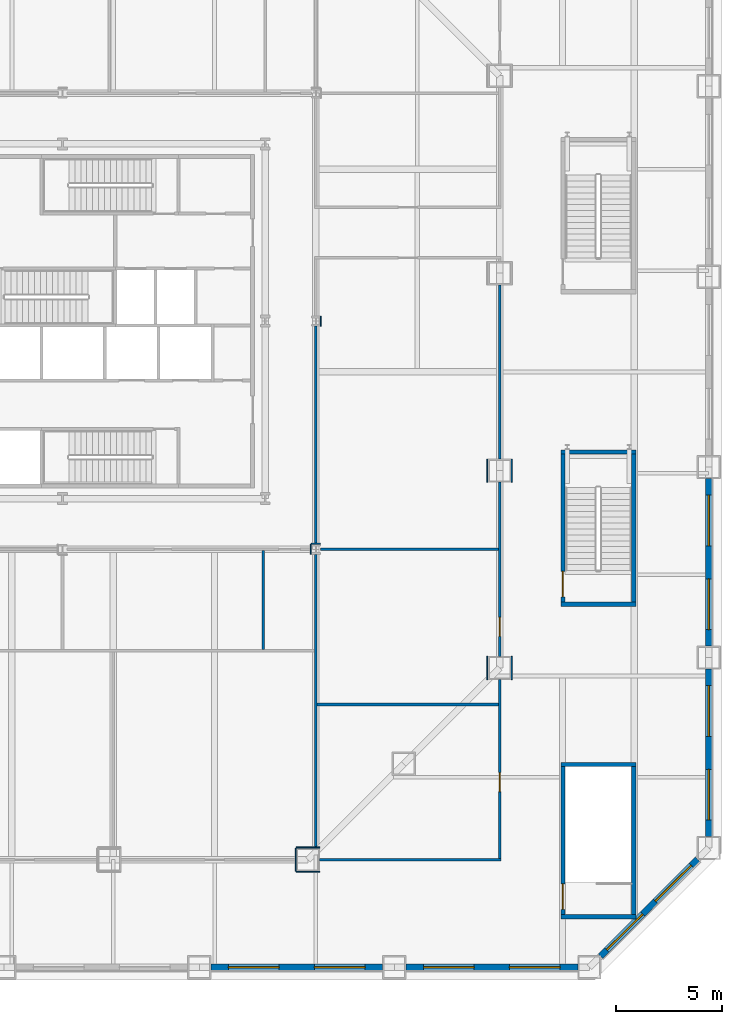
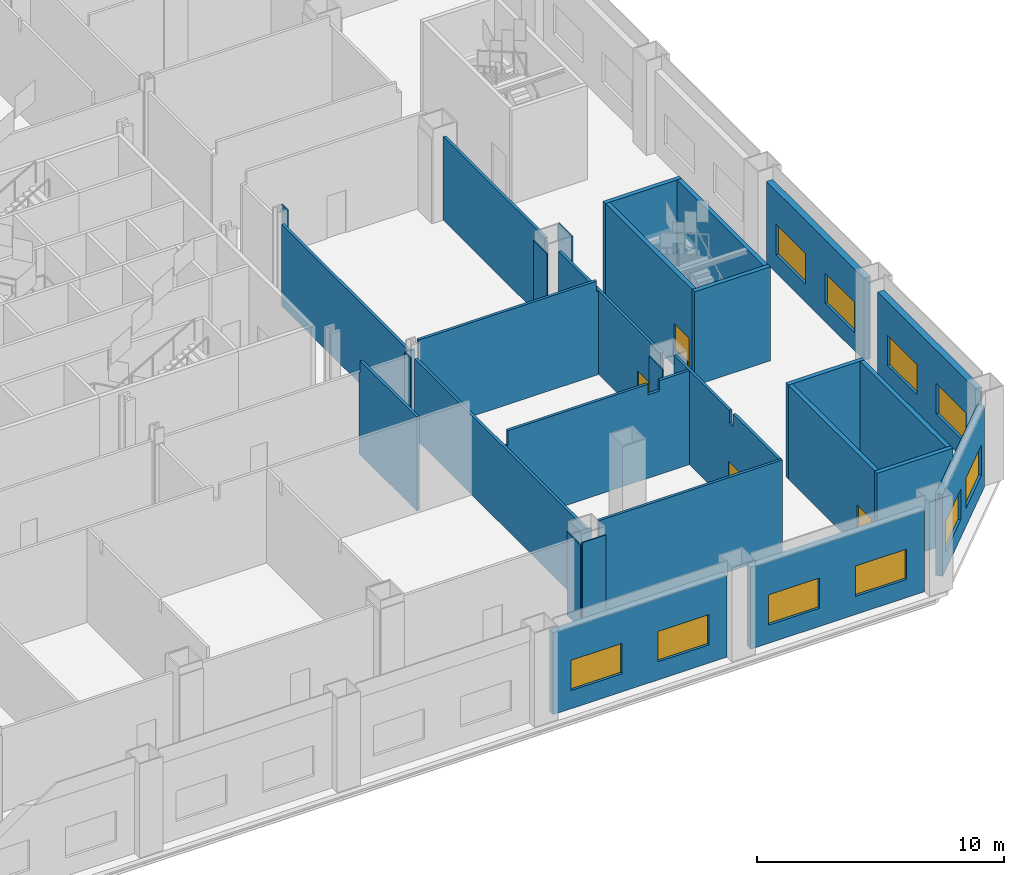
# One storey, part 14 of 22: 32 walls, 10 windows, 4 doors, 14 openings.
"""IFC4 building model written with IfcOpenShell, lengths in metres."""

from ifc_helpers import new_model, si_unit, direction, frame, frame_2d, origin, place, context, subcontext, project, spatial, polyline, rectangle, outline, extrude, material, layer, layer_set, type_object, element, fill, save


model = new_model("IFC4")

# Units and contexts
model_context = context("Model", 3, precision=1e-05, world=origin(), true_north=direction((0.0, 1.0)))
body_context = subcontext(model_context, "Body", "Model", "MODEL_VIEW")
ifc_project = project(units=[si_unit("LENGTHUNIT", "METRE"), si_unit("AREAUNIT", "SQUARE_METRE"), si_unit("VOLUMEUNIT", "CUBIC_METRE"), si_unit("PLANEANGLEUNIT", "RADIAN"), si_unit("MASSUNIT", "GRAM", prefix="KILO")], contexts=[model_context])

# Site, building, storey
site_placement = place(None, origin())
site = spatial("IfcSite", under=ifc_project, at=site_placement, CompositionType="ELEMENT")
building_placement = place(site_placement, origin())
building = spatial("IfcBuilding", under=site, at=building_placement, Name="Cairn Pilgrim Tower", CompositionType="ELEMENT")
storey_placement = place(building_placement, frame((0.0, 0.0, 35.39990234375)))
storey = spatial("IfcBuildingStorey", under=building, at=storey_placement, Name="L06", CompositionType="ELEMENT", Elevation=35.39990234375)

# Wall
ifc_material_1 = material(Name="Gypsum partition")
ifc_layer_1 = layer(ifc_material_1, 0.125)
ifc_layer_set_1 = layer_set([ifc_layer_1], Name="PARTITION 125 DRYWALL EI 60")
wall_type_1 = type_object("IfcWallType", Name="PARTITION 125 DRYWALL EI 60", PredefinedType="PARTITIONING", material=ifc_layer_set_1)
wall_1_placement = place(storey_placement, frame((19.377197265625, -23.10009765625, 0.0), z_axis=(0.0, 0.0, 1.0), x_axis=(1.0, 0.0, 0.0)))
element("IfcWall", 1, at=wall_1_placement, inside=storey, type_object=wall_type_1, Name="PARTITION W013", PredefinedType="PARTITIONING", context=body_context, shape_type="SweptSolid", body=[
    extrude(rectangle(XDim=8.585205078125, YDim=0.125, at=frame_2d((4.29248046875, 0.0))), origin(), (0.0, 0.0, 1.0), 4.650146484375),
])

# Wall, opening, door
wall_2_placement = place(storey_placement, frame((27.89990234375, -23.03759765625, 0.0), z_axis=(0.0, 0.0, 1.0), x_axis=(0.0, 1.0, 0.0)))
wall_2 = element("IfcWall", 2, at=wall_2_placement, inside=storey, type_object=wall_type_1, Name="PARTITION W018", PredefinedType="PARTITIONING", context=body_context, shape_type="SweptSolid", body=[
    extrude(outline(polyline([(0.0, 0.0), (8.46044921875, 0.0), (8.460205078125, 4.650146484375), (3.987548828125, 4.650146484375), (3.985595703125, 4.030029296875), (3.6875, 4.030029296875), (3.685546875, 4.650146484375), (0.0, 4.650146484375), (0.0, 0.0)])), frame((0.0, 0.0625, 0.0), z_axis=(0.0, -1.0, 0.0), x_axis=(1.0, 0.0, 0.0)), (0.0, 0.0, 1.0), 0.125),
])
opening_1_placement = place(wall_2_placement, frame((3.16259765625, 0.0, 0.0)))
opening_1 = element("IfcOpeningElement", 3, at=opening_1_placement, cuts=wall_2, Name="Opening 0621", PredefinedType="OPENING", context=body_context, shape_type="SweptSolid", body=[
    extrude(rectangle(XDim=0.89990234375, YDim=2.10009765625, at=frame_2d((0.449951171875, 1.050048828125))), frame((0.0, 0.072509765625, 0.0), z_axis=(0.0, -1.0, 0.0), x_axis=(1.0, 0.0, 0.0)), (0.0, 0.0, 1.0), 0.14501953125),
])
ifc_material_2 = material(Name="Timber door leaf", Category="wood")
door_type_1 = type_object("IfcDoorType", Name="ROOM DOOR 900x2100 FD30S", OperationType="NOTDEFINED", PredefinedType="DOOR", material=ifc_material_2)
door_1_placement = place(opening_1_placement, frame((0.89990234375, 0.0, 0.0), z_axis=(0.0, 0.0, 1.0), x_axis=(-1.0, 0.0, 0.0)))
door_1 = element("IfcDoor", 4, at=door_1_placement, inside=storey, type_object=door_type_1, Name="DOOR 0621", OperationType="SINGLE_SWING_LEFT", OverallHeight=2.10009765625, OverallWidth=0.89990234375, PredefinedType="DOOR", context=body_context, shape_type="SweptSolid", body=[
    extrude(rectangle(XDim=0.89990234375, YDim=2.10009765625, at=frame_2d((0.449951171875, 1.050048828125))), frame((0.0, 0.02490234375, 0.0), z_axis=(0.0, -1.0, 0.0), x_axis=(1.0, 0.0, 0.0)), (0.0, 0.0, 1.0), 0.050048828125),
])
fill(opening_1, door_1)

# Walls
wall_3_placement = place(storey_placement, frame((19.199951171875, -22.550048828125, 0.0), z_axis=(0.0, 0.0, 1.0), x_axis=(0.0, 1.0, 0.0)))
element("IfcWall", 5, at=wall_3_placement, inside=storey, type_object=wall_type_1, Name="PARTITION W021", PredefinedType="PARTITIONING", context=body_context, shape_type="SweptSolid", body=[
    extrude(rectangle(XDim=13.9130859375, YDim=0.125, at=frame_2d((6.95654296875, 0.0))), origin(), (0.0, 0.0, 1.0), 3.93017578125),
])
wall_4_placement = place(storey_placement, frame((19.262451171875, -15.75, 0.0), z_axis=(0.0, 0.0, 1.0), x_axis=(1.0, 0.0, 0.0)))
element("IfcWall", 6, at=wall_4_placement, inside=storey, type_object=wall_type_1, Name="PARTITION W023", PredefinedType="PARTITIONING", context=body_context, shape_type="SweptSolid", body=[
    extrude(outline(polyline([(0.0, 0.0), (8.574951171875, 0.0), (8.574951171875, 4.650146484375), (7.189208984375, 4.650146484375), (7.187255859375, 4.130126953125), (6.64013671875, 4.130126953125), (6.63818359375, 4.650146484375), (0.08740234375, 4.650146484375), (0.08544921875, 3.93017578125), (0.0, 3.93017578125), (0.0, 0.0)])), frame((0.0, 0.0625, 0.0), z_axis=(0.0, -1.0, 0.0), x_axis=(1.0, 0.0, 0.0)), (0.0, 0.0, 1.0), 0.125),
])

# Wall, opening, door
wall_5_placement = place(storey_placement, frame((27.89990234375, -13.477294921875, 0.0), z_axis=(0.0, 0.0, 1.0), x_axis=(0.0, 1.0, 0.0)))
wall_5 = element("IfcWall", 7, at=wall_5_placement, inside=storey, type_object=wall_type_1, Name="PARTITION W024", PredefinedType="PARTITIONING", context=body_context, shape_type="SweptSolid", body=[
    extrude(rectangle(XDim=8.251708984375, YDim=0.125, at=frame_2d((4.1259765625, 0.0))), origin(), (0.0, 0.0, 1.0), 4.130126953125),
])
opening_2_placement = place(wall_5_placement, frame((0.9521484375, 0.0, 0.0)))
opening_2 = element("IfcOpeningElement", 8, at=opening_2_placement, cuts=wall_5, Name="Opening 0622", PredefinedType="OPENING", context=body_context, shape_type="SweptSolid", body=[
    extrude(rectangle(XDim=0.89990234375, YDim=2.10009765625, at=frame_2d((0.449951171875, 1.050048828125))), frame((0.0, 0.072509765625, 0.0), z_axis=(0.0, -1.0, 0.0), x_axis=(1.0, 0.0, 0.0)), (0.0, 0.0, 1.0), 0.14501953125),
])
door_2_placement = place(opening_2_placement, frame((0.89990234375, 0.0, 0.0), z_axis=(0.0, 0.0, 1.0), x_axis=(-1.0, 0.0, 0.0)))
door_2 = element("IfcDoor", 9, at=door_2_placement, inside=storey, type_object=door_type_1, Name="DOOR 0622", OperationType="SINGLE_SWING_LEFT", OverallHeight=2.10009765625, OverallWidth=0.89990234375, PredefinedType="DOOR", context=body_context, shape_type="SweptSolid", body=[
    extrude(rectangle(XDim=0.89990234375, YDim=2.10009765625, at=frame_2d((0.449951171875, 1.050048828125))), frame((0.0, 0.02490234375, 0.0), z_axis=(0.0, -1.0, 0.0), x_axis=(1.0, 0.0, 0.0)), (0.0, 0.0, 1.0), 0.050048828125),
])
fill(opening_2, door_2)

# Walls
wall_6_placement = place(storey_placement, frame((16.699951171875, -13.137451171875, 0.0), z_axis=(0.0, 0.0, 1.0), x_axis=(0.0, 1.0, 0.0)))
element("IfcWall", 10, at=wall_6_placement, inside=storey, type_object=wall_type_1, Name="PARTITION W027", PredefinedType="PARTITIONING", context=body_context, shape_type="SweptSolid", body=[
    extrude(outline(polyline([(0.0, 0.0), (4.675048828125, 0.0), (4.675048828125, 4.030029296875), (4.58740234375, 4.030029296875), (4.58544921875, 4.650146484375), (0.0, 4.650146484375), (0.0, 0.0)])), frame((0.0, 0.0625, 0.0), z_axis=(0.0, -1.0, 0.0), x_axis=(1.0, 0.0, 0.0)), (0.0, 0.0, 1.0), 0.125),
])
wall_7_placement = place(storey_placement, frame((19.412109375, -8.39990234375, 0.0), z_axis=(0.0, 0.0, 1.0), x_axis=(1.0, 0.0, 0.0)))
element("IfcWall", 11, at=wall_7_placement, inside=storey, type_object=wall_type_1, Name="PARTITION W033", PredefinedType="PARTITIONING", context=body_context, shape_type="SweptSolid", body=[
    extrude(outline(polyline([(0.0, 0.0), (8.42529296875, 0.0), (8.425537109375, 4.130126953125), (8.337890625, 4.130126953125), (8.3359375, 4.650146484375), (0.0, 4.650146484375), (0.0, 0.0)])), frame((0.0, 0.0625, 0.0), z_axis=(0.0, -1.0, 0.0), x_axis=(1.0, 0.0, 0.0)), (0.0, 0.0, 1.0), 0.125),
])
wall_8_placement = place(storey_placement, frame((19.199951171875, -8.1630859375, 0.0), z_axis=(0.0, 0.0, 1.0), x_axis=(0.0, 1.0, 0.0)))
element("IfcWall", 12, at=wall_8_placement, inside=storey, type_object=wall_type_1, Name="PARTITION W035", PredefinedType="PARTITIONING", context=body_context, shape_type="SweptSolid", body=[
    extrude(rectangle(XDim=10.326171875, YDim=0.125, at=frame_2d((5.1630859375, 0.0))), origin(), (0.0, 0.0, 1.0), 4.030029296875),
])
wall_9_placement = place(storey_placement, frame((27.89990234375, -4.125732421875, 0.0), z_axis=(0.0, 0.0, 1.0), x_axis=(0.0, 1.0, 0.0)))
element("IfcWall", 13, at=wall_9_placement, inside=storey, type_object=wall_type_1, Name="PARTITION W036", PredefinedType="PARTITIONING", context=body_context, shape_type="SweptSolid", body=[
    extrude(rectangle(XDim=8.25146484375, YDim=0.125, at=frame_2d((4.125732421875, 0.0))), origin(), (0.0, 0.0, 1.0), 4.130126953125),
])
ifc_layer_2 = layer(ifc_material_1, 0.050048828125)
ifc_layer_set_2 = layer_set([ifc_layer_2], Name="PARTITION 50 DRYWALL EI 60")
wall_type_2 = type_object("IfcWallType", Name="PARTITION 50 DRYWALL EI 60", PredefinedType="PARTITIONING", material=ifc_layer_set_2)
wall_10_placement = place(storey_placement, frame((18.277099609375, -22.52490234375, 0.0), z_axis=(0.0, 0.0, 1.0), x_axis=(1.0, 0.0, 0.0)))
element("IfcWall", 14, at=wall_10_placement, inside=storey, type_object=wall_type_2, Name="COLUMN CASING WC09", PredefinedType="PARTITIONING", context=body_context, shape_type="SweptSolid", body=[
    extrude(rectangle(XDim=1.10009765625, YDim=0.050048828125, at=frame_2d((0.550048828125, 0.0))), origin(), (0.0, 0.0, 1.0), 3.93017578125),
])
wall_11_placement = place(storey_placement, frame((18.277099609375, -23.675048828125, 0.0), z_axis=(0.0, 0.0, 1.0), x_axis=(1.0, 0.0, 0.0)))
element("IfcWall", 15, at=wall_11_placement, inside=storey, type_object=wall_type_2, Name="COLUMN CASING WC10", PredefinedType="PARTITIONING", context=body_context, shape_type="SweptSolid", body=[
    extrude(rectangle(XDim=1.10009765625, YDim=0.050048828125, at=frame_2d((0.550048828125, 0.0))), origin(), (0.0, 0.0, 1.0), 4.27001953125),
])
wall_12_placement = place(storey_placement, frame((18.252197265625, -23.64990234375, 0.0), z_axis=(0.0, 0.0, 1.0), x_axis=(0.0, 1.0, 0.0)))
element("IfcWall", 16, at=wall_12_placement, inside=storey, type_object=wall_type_2, Name="COLUMN CASING WC14", PredefinedType="PARTITIONING", context=body_context, shape_type="SweptSolid", body=[
    extrude(rectangle(XDim=1.099853515625, YDim=0.050048828125, at=frame_2d((0.5498046875, 0.0))), origin(), (0.0, 0.0, 1.0), 4.130126953125),
])
wall_13_placement = place(storey_placement, frame((18.962890625, -8.636962890625, 0.0), z_axis=(0.0, 0.0, 1.0), x_axis=(0.0, 1.0, 0.0)))
element("IfcWall", 17, at=wall_13_placement, inside=storey, type_object=wall_type_2, Name="COLUMN CASING WC15", PredefinedType="PARTITIONING", context=body_context, shape_type="SweptSolid", body=[
    extrude(rectangle(XDim=0.473876953125, YDim=0.050048828125, at=frame_2d((0.23681640625, 0.0))), origin(), (0.0, 0.0, 1.0), 4.030029296875),
])
for number, where, z_axis, x_axis, name in (
    (18, (27.324951171875, -14.5771484375, 0.0), (0.0, 0.0, 1.0), (0.0, 1.0, 0.0), "COLUMN CASING WC16"),
    (19, (28.47509765625, -14.5771484375, 0.0), (0.0, 0.0, 1.0), (0.0, 1.0, 0.0), "COLUMN CASING WC17"),
):
    element("IfcWall", number, at=place(storey_placement, frame(where, z_axis=z_axis, x_axis=x_axis)), inside=storey, type_object=wall_type_2, Name=name, PredefinedType="PARTITIONING", context=body_context, shape_type="SweptSolid", body=[
        extrude(rectangle(XDim=1.099853515625, YDim=0.050048828125, at=frame_2d((0.5498046875, 0.0))), origin(), (0.0, 0.0, 1.0), 4.130126953125),
    ])
wall_14_placement = place(storey_placement, frame((27.324951171875, -5.2255859375, 0.0), z_axis=(0.0, 0.0, 1.0), x_axis=(0.0, 1.0, 0.0)))
element("IfcWall", 20, at=wall_14_placement, inside=storey, type_object=wall_type_2, Name="COLUMN CASING WC18", PredefinedType="PARTITIONING", context=body_context, shape_type="SweptSolid", body=[
    extrude(rectangle(XDim=1.099853515625, YDim=0.050048828125, at=frame_2d((0.5498046875, 0.0))), origin(), (0.0, 0.0, 1.0), 4.18017578125),
])
wall_15_placement = place(storey_placement, frame((28.47509765625, -5.2255859375, 0.0), z_axis=(0.0, 0.0, 1.0), x_axis=(0.0, 1.0, 0.0)))
element("IfcWall", 21, at=wall_15_placement, inside=storey, type_object=wall_type_2, Name="COLUMN CASING WC19", PredefinedType="PARTITIONING", context=body_context, shape_type="SweptSolid", body=[
    extrude(rectangle(XDim=1.099853515625, YDim=0.050048828125, at=frame_2d((0.5498046875, 0.0))), origin(), (0.0, 0.0, 1.0), 4.650146484375),
])
wall_16_placement = place(storey_placement, frame((18.988037109375, -8.137939453125, 0.0), z_axis=(0.0, 0.0, 1.0), x_axis=(1.0, 0.0, 0.0)))
element("IfcWall", 22, at=wall_16_placement, inside=storey, type_object=wall_type_2, Name="COLUMN CASING WC26", PredefinedType="PARTITIONING", context=body_context, shape_type="SweptSolid", body=[
    extrude(rectangle(XDim=0.424072265625, YDim=0.050048828125, at=frame_2d((0.2119140625, 0.0))), origin(), (0.0, 0.0, 1.0), 4.030029296875),
])
wall_17_placement = place(storey_placement, frame((19.43701171875, 2.1630859375, 0.0), z_axis=(0.0, 0.0, 1.0), x_axis=(0.0, 1.0, 0.0)))
element("IfcWall", 23, at=wall_17_placement, inside=storey, type_object=wall_type_2, Name="COLUMN CASING WC27", PredefinedType="PARTITIONING", context=body_context, shape_type="SweptSolid", body=[
    extrude(rectangle(XDim=0.473876953125, YDim=0.050048828125, at=frame_2d((0.23681640625, 0.0))), origin(), (0.0, 0.0, 1.0), 4.650146484375),
])
ifc_material_3 = material(Name="Concrete C35/45", Category="concrete")
ifc_layer_3 = layer(ifc_material_3, 0.199951171875)
ifc_layer_set_3 = layer_set([ifc_layer_3], Name="PODIUM STAIR WALL 200 EI 120")
wall_type_3 = type_object("IfcWallType", Name="PODIUM STAIR WALL 200 EI 120", PredefinedType="SOLIDWALL", material=ifc_layer_set_3)
wall_18_placement = place(storey_placement, frame((30.800048828125, -25.800048828125, 0.0), z_axis=(0.0, 0.0, 1.0), x_axis=(1.0, 0.0, 0.0)))
element("IfcWall", 24, at=wall_18_placement, inside=storey, type_object=wall_type_3, Name="STAIR SHAFT WALL W003", PredefinedType="SOLIDWALL", context=body_context, shape_type="SweptSolid", body=[
    extrude(rectangle(XDim=3.550048828125, YDim=0.199951171875, at=frame_2d((1.77490234375, 0.0))), origin(), (0.0, 0.0, 1.0), 4.650146484375),
])

# Wall, opening, door
wall_19_placement = place(storey_placement, frame((30.89990234375, -25.699951171875, 0.0), z_axis=(0.0, 0.0, 1.0), x_axis=(0.0, 1.0, 0.0)))
wall_19 = element("IfcWall", 25, at=wall_19_placement, inside=storey, type_object=wall_type_3, Name="STAIR SHAFT WALL W004", PredefinedType="SOLIDWALL", context=body_context, shape_type="SweptSolid", body=[
    extrude(rectangle(XDim=7.0, YDim=0.199951171875, at=frame_2d((3.5, 0.0))), origin(), (0.0, 0.0, 1.0), 4.650146484375),
])
opening_3_placement = place(wall_19_placement, frame((0.25, 0.0, 0.0)))
opening_3 = element("IfcOpeningElement", 26, at=opening_3_placement, cuts=wall_19, Name="Opening 0627", PredefinedType="OPENING", context=body_context, shape_type="SweptSolid", body=[
    extrude(rectangle(XDim=1.199951171875, YDim=2.10009765625, at=frame_2d((0.60009765625, 1.050048828125))), frame((0.0, 0.10986328125, 0.0), z_axis=(0.0, -1.0, 0.0), x_axis=(1.0, 0.0, 0.0)), (0.0, 0.0, 1.0), 0.219970703125),
])
ifc_material_4 = material(Name="Steel-faced fire door leaf", Category="steel")
door_type_2 = type_object("IfcDoorType", Name="FIRE DOOR 1200x2100 FD60S", OperationType="NOTDEFINED", PredefinedType="DOOR", material=ifc_material_4)
door_3_placement = place(opening_3_placement, frame((1.199951171875, 0.0, 0.0), z_axis=(0.0, 0.0, 1.0), x_axis=(-1.0, 0.0, 0.0)))
door_3 = element("IfcDoor", 27, at=door_3_placement, inside=storey, type_object=door_type_2, Name="DOOR 0627", OperationType="SINGLE_SWING_RIGHT", OverallHeight=2.10009765625, OverallWidth=1.199951171875, PredefinedType="DOOR", context=body_context, shape_type="SweptSolid", body=[
    extrude(rectangle(XDim=1.199951171875, YDim=2.10009765625, at=frame_2d((0.60009765625, 1.050048828125))), frame((0.0, 0.02490234375, 0.0), z_axis=(0.0, -1.0, 0.0), x_axis=(1.0, 0.0, 0.0)), (0.0, 0.0, 1.0), 0.050048828125),
])
fill(opening_3, door_3)

# Walls
wall_20_placement = place(storey_placement, frame((34.25, -25.699951171875, 0.0), z_axis=(0.0, 0.0, 1.0), x_axis=(0.0, 1.0, 0.0)))
element("IfcWall", 28, at=wall_20_placement, inside=storey, type_object=wall_type_3, Name="STAIR SHAFT WALL W005", PredefinedType="SOLIDWALL", context=body_context, shape_type="SweptSolid", body=[
    extrude(rectangle(XDim=7.0, YDim=0.199951171875, at=frame_2d((3.5, 0.0))), origin(), (0.0, 0.0, 1.0), 4.650146484375),
])
for number, where, z_axis, x_axis, name in (
    (29, (30.800048828125, -18.60009765625, 0.0), (0.0, 0.0, 1.0), (1.0, 0.0, 0.0), "STAIR SHAFT WALL W022"),
    (30, (30.800048828125, -11.0, 0.0), (0.0, 0.0, 1.0), (1.0, 0.0, 0.0), "STAIR SHAFT WALL W028"),
):
    element("IfcWall", number, at=place(storey_placement, frame(where, z_axis=z_axis, x_axis=x_axis)), inside=storey, type_object=wall_type_3, Name=name, PredefinedType="SOLIDWALL", context=body_context, shape_type="SweptSolid", body=[
        extrude(rectangle(XDim=3.550048828125, YDim=0.199951171875, at=frame_2d((1.77490234375, 0.0))), origin(), (0.0, 0.0, 1.0), 4.650146484375),
    ])

# Wall, opening, door
wall_21_placement = place(storey_placement, frame((30.89990234375, -10.89990234375, 0.0), z_axis=(0.0, 0.0, 1.0), x_axis=(0.0, 1.0, 0.0)))
wall_21 = element("IfcWall", 31, at=wall_21_placement, inside=storey, type_object=wall_type_3, Name="STAIR SHAFT WALL W029", PredefinedType="SOLIDWALL", context=body_context, shape_type="SweptSolid", body=[
    extrude(rectangle(XDim=7.0, YDim=0.199951171875, at=frame_2d((3.5, 0.0))), origin(), (0.0, 0.0, 1.0), 4.650146484375),
])
opening_4_placement = place(wall_21_placement, frame((0.25, 0.0, 0.0)))
opening_4 = element("IfcOpeningElement", 32, at=opening_4_placement, cuts=wall_21, Name="Opening 0628", PredefinedType="OPENING", context=body_context, shape_type="SweptSolid", body=[
    extrude(rectangle(XDim=1.199951171875, YDim=2.10009765625, at=frame_2d((0.60009765625, 1.050048828125))), frame((0.0, 0.10986328125, 0.0), z_axis=(0.0, -1.0, 0.0), x_axis=(1.0, 0.0, 0.0)), (0.0, 0.0, 1.0), 0.219970703125),
])
door_4_placement = place(opening_4_placement, frame((1.199951171875, 0.0, 0.0), z_axis=(0.0, 0.0, 1.0), x_axis=(-1.0, 0.0, 0.0)))
door_4 = element("IfcDoor", 33, at=door_4_placement, inside=storey, type_object=door_type_2, Name="DOOR 0628", OperationType="SINGLE_SWING_LEFT", OverallHeight=2.10009765625, OverallWidth=1.199951171875, PredefinedType="DOOR", context=body_context, shape_type="SweptSolid", body=[
    extrude(rectangle(XDim=1.199951171875, YDim=2.10009765625, at=frame_2d((0.60009765625, 1.050048828125))), frame((0.0, 0.02490234375, 0.0), z_axis=(0.0, -1.0, 0.0), x_axis=(1.0, 0.0, 0.0)), (0.0, 0.0, 1.0), 0.050048828125),
])
fill(opening_4, door_4)

# Walls
wall_22_placement = place(storey_placement, frame((34.25, -10.89990234375, 0.0), z_axis=(0.0, 0.0, 1.0), x_axis=(0.0, 1.0, 0.0)))
element("IfcWall", 34, at=wall_22_placement, inside=storey, type_object=wall_type_3, Name="STAIR SHAFT WALL W030", PredefinedType="SOLIDWALL", context=body_context, shape_type="SweptSolid", body=[
    extrude(rectangle(XDim=7.0, YDim=0.199951171875, at=frame_2d((3.5, 0.0))), origin(), (0.0, 0.0, 1.0), 4.650146484375),
])
wall_23_placement = place(storey_placement, frame((30.800048828125, -3.800048828125, 0.0), z_axis=(0.0, 0.0, 1.0), x_axis=(1.0, 0.0, 0.0)))
element("IfcWall", 35, at=wall_23_placement, inside=storey, type_object=wall_type_3, Name="STAIR SHAFT WALL W037", PredefinedType="SOLIDWALL", context=body_context, shape_type="SweptSolid", body=[
    extrude(rectangle(XDim=3.550048828125, YDim=0.199951171875, at=frame_2d((1.77490234375, 0.0))), origin(), (0.0, 0.0, 1.0), 4.650146484375),
])

# Wall, openings, windows
ifc_material_5 = material(Name="Concrete C35/45 backup wall with bronze aluminium cladding", Category="concrete")
ifc_layer_4 = layer(ifc_material_5, 0.300048828125)
ifc_layer_set_4 = layer_set([ifc_layer_4], Name="PODIUM WALL 300 BRONZE-CLAD")
wall_type_4 = type_object("IfcWallType", Name="PODIUM WALL 300 BRONZE-CLAD", PredefinedType="SOLIDWALL", material=ifc_layer_set_4)
wall_24_placement = place(storey_placement, frame((14.2255859375, -28.199951171875, 0.0), z_axis=(0.0, 0.0, 1.0), x_axis=(1.0, 0.0, 0.0)))
wall_24 = element("IfcWall", 36, at=wall_24_placement, inside=storey, type_object=wall_type_4, Name="PODIUM EXTERNAL WALL S7-S8", PredefinedType="SOLIDWALL", context=body_context, shape_type="SweptSolid", body=[
    extrude(rectangle(XDim=8.137939453125, YDim=0.300048828125, at=frame_2d((4.06884765625, 0.0))), origin(), (0.0, 0.0, 1.0), 4.050048828125),
])
opening_5_placement = place(wall_24_placement, frame((0.83447265625, 0.0, 0.89990234375)))
opening_5 = element("IfcOpeningElement", 37, at=opening_5_placement, cuts=wall_24, Name="Opening PW15", PredefinedType="OPENING", context=body_context, shape_type="SweptSolid", body=[
    extrude(rectangle(XDim=2.39990234375, YDim=1.5, at=frame_2d((1.199951171875, 0.75))), frame((0.0, 0.16015625, 0.0), z_axis=(0.0, -1.0, 0.0), x_axis=(1.0, 0.0, 0.0)), (0.0, 0.0, 1.0), 0.320068359375),
])
opening_6_placement = place(wall_24_placement, frame((4.9033203125, 0.0, 0.89990234375)))
opening_6 = element("IfcOpeningElement", 38, at=opening_6_placement, cuts=wall_24, Name="Opening PW15", PredefinedType="OPENING", context=body_context, shape_type="SweptSolid", body=[
    extrude(rectangle(XDim=2.39990234375, YDim=1.5, at=frame_2d((1.199951171875, 0.75))), frame((0.0, 0.16015625, 0.0), z_axis=(0.0, -1.0, 0.0), x_axis=(1.0, 0.0, 0.0)), (0.0, 0.0, 1.0), 0.320068359375),
])
ifc_material_6 = material(Name="Bronze anodised aluminium frame with tinted low-E glass", Category="aluminium")
window_type = type_object("IfcWindowType", Name="PODIUM FIXED WINDOW 2400x1500", PartitioningType="SINGLE_PANEL", PredefinedType="WINDOW", material=ifc_material_6)
window_1_placement = place(opening_5_placement, origin())
window_1 = element("IfcWindow", 39, at=window_1_placement, inside=storey, type_object=window_type, Name="PODIUM WINDOW", OverallHeight=1.5, OverallWidth=2.39990234375, PartitioningType="SINGLE_PANEL", PredefinedType="WINDOW", context=body_context, shape_type="SweptSolid", body=[
    extrude(rectangle(XDim=2.39990234375, YDim=1.5, at=frame_2d((1.199951171875, 0.75))), frame((0.0, 0.030029296875, 0.0), z_axis=(0.0, -1.0, 0.0), x_axis=(1.0, 0.0, 0.0)), (0.0, 0.0, 1.0), 0.06005859375),
])
fill(opening_5, window_1)
window_2_placement = place(opening_6_placement, origin())
window_2 = element("IfcWindow", 40, at=window_2_placement, inside=storey, type_object=window_type, Name="PODIUM WINDOW", OverallHeight=1.5, OverallWidth=2.39990234375, PartitioningType="SINGLE_PANEL", PredefinedType="WINDOW", context=body_context, shape_type="SweptSolid", body=[
    extrude(rectangle(XDim=2.39990234375, YDim=1.5, at=frame_2d((1.199951171875, 0.75))), frame((0.0, 0.030029296875, 0.0), z_axis=(0.0, -1.0, 0.0), x_axis=(1.0, 0.0, 0.0)), (0.0, 0.0, 1.0), 0.06005859375),
])
fill(opening_6, window_2)

wall_25_placement = place(storey_placement, frame((23.463623046875, -28.199951171875, 0.0), z_axis=(0.0, 0.0, 1.0), x_axis=(1.0, 0.0, 0.0)))
wall_25 = element("IfcWall", 41, at=wall_25_placement, inside=storey, type_object=wall_type_4, Name="PODIUM EXTERNAL WALL S8-SE1", PredefinedType="SOLIDWALL", context=body_context, shape_type="SweptSolid", body=[
    extrude(rectangle(XDim=8.137939453125, YDim=0.300048828125, at=frame_2d((4.06884765625, 0.0))), origin(), (0.0, 0.0, 1.0), 4.050048828125),
])
opening_7_placement = place(wall_25_placement, frame((0.83447265625, 0.0, 0.89990234375)))
opening_7 = element("IfcOpeningElement", 42, at=opening_7_placement, cuts=wall_25, Name="Opening PW15", PredefinedType="OPENING", context=body_context, shape_type="SweptSolid", body=[
    extrude(rectangle(XDim=2.39990234375, YDim=1.5, at=frame_2d((1.199951171875, 0.75))), frame((0.0, 0.16015625, 0.0), z_axis=(0.0, -1.0, 0.0), x_axis=(1.0, 0.0, 0.0)), (0.0, 0.0, 1.0), 0.320068359375),
])
opening_8_placement = place(wall_25_placement, frame((4.9033203125, 0.0, 0.89990234375)))
opening_8 = element("IfcOpeningElement", 43, at=opening_8_placement, cuts=wall_25, Name="Opening PW15", PredefinedType="OPENING", context=body_context, shape_type="SweptSolid", body=[
    extrude(rectangle(XDim=2.39990234375, YDim=1.5, at=frame_2d((1.199951171875, 0.75))), frame((0.0, 0.16015625, 0.0), z_axis=(0.0, -1.0, 0.0), x_axis=(1.0, 0.0, 0.0)), (0.0, 0.0, 1.0), 0.320068359375),
])
window_3_placement = place(opening_7_placement, origin())
window_3 = element("IfcWindow", 44, at=window_3_placement, inside=storey, type_object=window_type, Name="PODIUM WINDOW", OverallHeight=1.5, OverallWidth=2.39990234375, PartitioningType="SINGLE_PANEL", PredefinedType="WINDOW", context=body_context, shape_type="SweptSolid", body=[
    extrude(rectangle(XDim=2.39990234375, YDim=1.5, at=frame_2d((1.199951171875, 0.75))), frame((0.0, 0.030029296875, 0.0), z_axis=(0.0, -1.0, 0.0), x_axis=(1.0, 0.0, 0.0)), (0.0, 0.0, 1.0), 0.06005859375),
])
fill(opening_7, window_3)
window_4_placement = place(opening_8_placement, origin())
window_4 = element("IfcWindow", 45, at=window_4_placement, inside=storey, type_object=window_type, Name="PODIUM WINDOW", OverallHeight=1.5, OverallWidth=2.39990234375, PartitioningType="SINGLE_PANEL", PredefinedType="WINDOW", context=body_context, shape_type="SweptSolid", body=[
    extrude(rectangle(XDim=2.39990234375, YDim=1.5, at=frame_2d((1.199951171875, 0.75))), frame((0.0, 0.030029296875, 0.0), z_axis=(0.0, -1.0, 0.0), x_axis=(1.0, 0.0, 0.0)), (0.0, 0.0, 1.0), 0.06005859375),
])
fill(opening_8, window_4)

wall_26_placement = place(storey_placement, frame((32.6748046875, -27.6767578125, 0.0), z_axis=(0.0, 0.0, 1.0), x_axis=(0.707088024292, 0.707125537583, 0.0)))
wall_26 = element("IfcWall", 46, at=wall_26_placement, inside=storey, type_object=wall_type_4, Name="PODIUM EXTERNAL WALL SE1-E1", PredefinedType="SOLIDWALL", context=body_context, shape_type="SweptSolid", body=[
    extrude(rectangle(XDim=6.508056640625, YDim=0.300048828125, at=frame_2d((3.25390625, 0.0))), origin(), (0.0, 0.0, 1.0), 4.050048828125),
])
opening_9_placement = place(wall_26_placement, frame((0.427001953125, 0.0, 0.89990234375)))
opening_9 = element("IfcOpeningElement", 47, at=opening_9_placement, cuts=wall_26, Name="Opening PW15", PredefinedType="OPENING", context=body_context, shape_type="SweptSolid", body=[
    extrude(rectangle(XDim=2.39990234375, YDim=1.5, at=frame_2d((1.199951171875, 0.75))), frame((0.0, 0.16015625, 0.0), z_axis=(0.0, -1.0, 0.0), x_axis=(1.0, 0.0, 0.0)), (0.0, 0.0, 1.0), 0.320068359375),
])
opening_10_placement = place(wall_26_placement, frame((3.68115234375, 0.0, 0.89990234375)))
opening_10 = element("IfcOpeningElement", 48, at=opening_10_placement, cuts=wall_26, Name="Opening PW15", PredefinedType="OPENING", context=body_context, shape_type="SweptSolid", body=[
    extrude(rectangle(XDim=2.39990234375, YDim=1.5, at=frame_2d((1.199951171875, 0.75))), frame((0.0, 0.16015625, 0.0), z_axis=(0.0, -1.0, 0.0), x_axis=(1.0, 0.0, 0.0)), (0.0, 0.0, 1.0), 0.320068359375),
])
window_5_placement = place(opening_9_placement, origin())
window_5 = element("IfcWindow", 49, at=window_5_placement, inside=storey, type_object=window_type, Name="PODIUM WINDOW", OverallHeight=1.5, OverallWidth=2.39990234375, PartitioningType="SINGLE_PANEL", PredefinedType="WINDOW", context=body_context, shape_type="SweptSolid", body=[
    extrude(rectangle(XDim=2.39990234375, YDim=1.5, at=frame_2d((1.199951171875, 0.75))), frame((0.0, 0.030029296875, 0.0), z_axis=(0.0, -1.0, 0.0), x_axis=(1.0, 0.0, 0.0)), (0.0, 0.0, 1.0), 0.06005859375),
])
fill(opening_9, window_5)
window_6_placement = place(opening_10_placement, origin())
window_6 = element("IfcWindow", 50, at=window_6_placement, inside=storey, type_object=window_type, Name="PODIUM WINDOW", OverallHeight=1.5, OverallWidth=2.39990234375, PartitioningType="SINGLE_PANEL", PredefinedType="WINDOW", context=body_context, shape_type="SweptSolid", body=[
    extrude(rectangle(XDim=2.39990234375, YDim=1.5, at=frame_2d((1.199951171875, 0.75))), frame((0.0, 0.030029296875, 0.0), z_axis=(0.0, -1.0, 0.0), x_axis=(1.0, 0.0, 0.0)), (0.0, 0.0, 1.0), 0.06005859375),
])
fill(opening_10, window_6)

wall_27_placement = place(storey_placement, frame((37.800048828125, -22.00146484375, 0.0), z_axis=(0.0, 0.0, 1.0), x_axis=(0.0, 1.0, 0.0)))
wall_27 = element("IfcWall", 51, at=wall_27_placement, inside=storey, type_object=wall_type_4, Name="PODIUM EXTERNAL WALL E1-E2", PredefinedType="SOLIDWALL", context=body_context, shape_type="SweptSolid", body=[
    extrude(rectangle(XDim=7.920654296875, YDim=0.300048828125, at=frame_2d((3.96044921875, 0.0))), origin(), (0.0, 0.0, 1.0), 4.050048828125),
])
opening_11_placement = place(wall_27_placement, frame((0.780029296875, 0.0, 0.89990234375)))
opening_11 = element("IfcOpeningElement", 52, at=opening_11_placement, cuts=wall_27, Name="Opening PW15", PredefinedType="OPENING", context=body_context, shape_type="SweptSolid", body=[
    extrude(rectangle(XDim=2.39990234375, YDim=1.5, at=frame_2d((1.199951171875, 0.75))), frame((0.0, 0.16015625, 0.0), z_axis=(0.0, -1.0, 0.0), x_axis=(1.0, 0.0, 0.0)), (0.0, 0.0, 1.0), 0.320068359375),
])
opening_12_placement = place(wall_27_placement, frame((4.740478515625, 0.0, 0.89990234375)))
opening_12 = element("IfcOpeningElement", 53, at=opening_12_placement, cuts=wall_27, Name="Opening PW15", PredefinedType="OPENING", context=body_context, shape_type="SweptSolid", body=[
    extrude(rectangle(XDim=2.39990234375, YDim=1.5, at=frame_2d((1.199951171875, 0.75))), frame((0.0, 0.16015625, 0.0), z_axis=(0.0, -1.0, 0.0), x_axis=(1.0, 0.0, 0.0)), (0.0, 0.0, 1.0), 0.320068359375),
])
window_7_placement = place(opening_11_placement, origin())
window_7 = element("IfcWindow", 54, at=window_7_placement, inside=storey, type_object=window_type, Name="PODIUM WINDOW", OverallHeight=1.5, OverallWidth=2.39990234375, PartitioningType="SINGLE_PANEL", PredefinedType="WINDOW", context=body_context, shape_type="SweptSolid", body=[
    extrude(rectangle(XDim=2.39990234375, YDim=1.5, at=frame_2d((1.199951171875, 0.75))), frame((0.0, 0.030029296875, 0.0), z_axis=(0.0, -1.0, 0.0), x_axis=(1.0, 0.0, 0.0)), (0.0, 0.0, 1.0), 0.06005859375),
])
fill(opening_11, window_7)
window_8_placement = place(opening_12_placement, origin())
window_8 = element("IfcWindow", 55, at=window_8_placement, inside=storey, type_object=window_type, Name="PODIUM WINDOW", OverallHeight=1.5, OverallWidth=2.39990234375, PartitioningType="SINGLE_PANEL", PredefinedType="WINDOW", context=body_context, shape_type="SweptSolid", body=[
    extrude(rectangle(XDim=2.39990234375, YDim=1.5, at=frame_2d((1.199951171875, 0.75))), frame((0.0, 0.030029296875, 0.0), z_axis=(0.0, -1.0, 0.0), x_axis=(1.0, 0.0, 0.0)), (0.0, 0.0, 1.0), 0.06005859375),
])
fill(opening_12, window_8)

wall_28_placement = place(storey_placement, frame((37.800048828125, -12.98095703125, 0.0), z_axis=(0.0, 0.0, 1.0), x_axis=(0.0, 1.0, 0.0)))
wall_28 = element("IfcWall", 56, at=wall_28_placement, inside=storey, type_object=wall_type_4, Name="PODIUM EXTERNAL WALL E2-E3", PredefinedType="SOLIDWALL", context=body_context, shape_type="SweptSolid", body=[
    extrude(rectangle(XDim=7.920654296875, YDim=0.300048828125, at=frame_2d((3.96044921875, 0.0))), origin(), (0.0, 0.0, 1.0), 4.050048828125),
])
opening_13_placement = place(wall_28_placement, frame((0.780029296875, 0.0, 0.89990234375)))
opening_13 = element("IfcOpeningElement", 57, at=opening_13_placement, cuts=wall_28, Name="Opening PW15", PredefinedType="OPENING", context=body_context, shape_type="SweptSolid", body=[
    extrude(rectangle(XDim=2.39990234375, YDim=1.5, at=frame_2d((1.199951171875, 0.75))), frame((0.0, 0.16015625, 0.0), z_axis=(0.0, -1.0, 0.0), x_axis=(1.0, 0.0, 0.0)), (0.0, 0.0, 1.0), 0.320068359375),
])
opening_14_placement = place(wall_28_placement, frame((4.740478515625, 0.0, 0.89990234375)))
opening_14 = element("IfcOpeningElement", 58, at=opening_14_placement, cuts=wall_28, Name="Opening PW15", PredefinedType="OPENING", context=body_context, shape_type="SweptSolid", body=[
    extrude(rectangle(XDim=2.39990234375, YDim=1.5, at=frame_2d((1.199951171875, 0.75))), frame((0.0, 0.16015625, 0.0), z_axis=(0.0, -1.0, 0.0), x_axis=(1.0, 0.0, 0.0)), (0.0, 0.0, 1.0), 0.320068359375),
])
window_9_placement = place(opening_13_placement, origin())
window_9 = element("IfcWindow", 59, at=window_9_placement, inside=storey, type_object=window_type, Name="PODIUM WINDOW", OverallHeight=1.5, OverallWidth=2.39990234375, PartitioningType="SINGLE_PANEL", PredefinedType="WINDOW", context=body_context, shape_type="SweptSolid", body=[
    extrude(rectangle(XDim=2.39990234375, YDim=1.5, at=frame_2d((1.199951171875, 0.75))), frame((0.0, 0.030029296875, 0.0), z_axis=(0.0, -1.0, 0.0), x_axis=(1.0, 0.0, 0.0)), (0.0, 0.0, 1.0), 0.06005859375),
])
fill(opening_13, window_9)
window_10_placement = place(opening_14_placement, origin())
window_10 = element("IfcWindow", 60, at=window_10_placement, inside=storey, type_object=window_type, Name="PODIUM WINDOW", OverallHeight=1.5, OverallWidth=2.39990234375, PartitioningType="SINGLE_PANEL", PredefinedType="WINDOW", context=body_context, shape_type="SweptSolid", body=[
    extrude(rectangle(XDim=2.39990234375, YDim=1.5, at=frame_2d((1.199951171875, 0.75))), frame((0.0, 0.030029296875, 0.0), z_axis=(0.0, -1.0, 0.0), x_axis=(1.0, 0.0, 0.0)), (0.0, 0.0, 1.0), 0.06005859375),
])
fill(opening_14, window_10)

save(model, "model.ifc")
